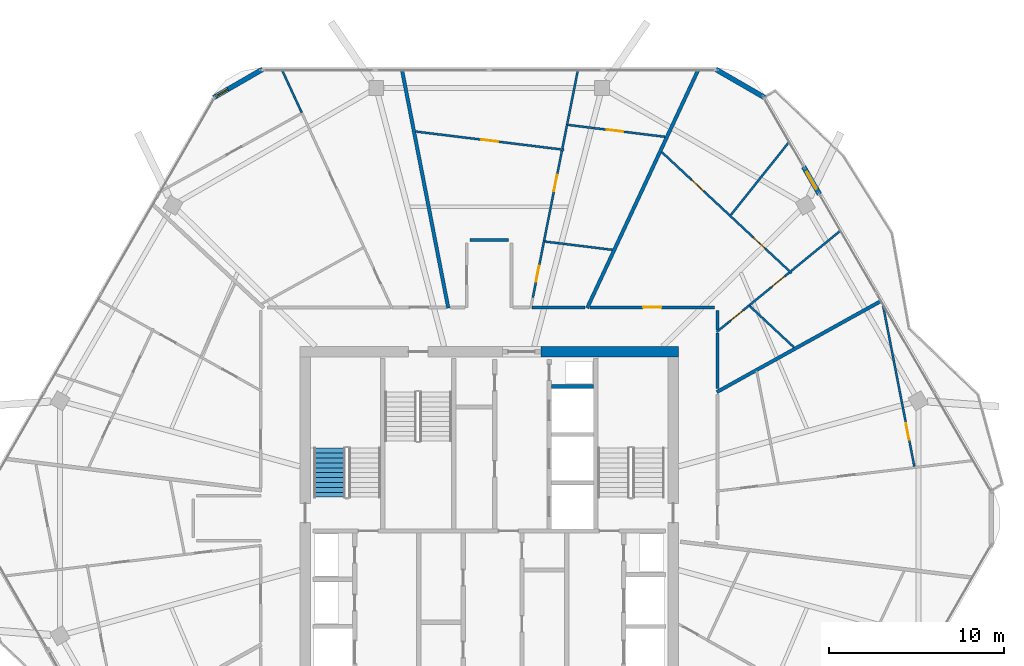
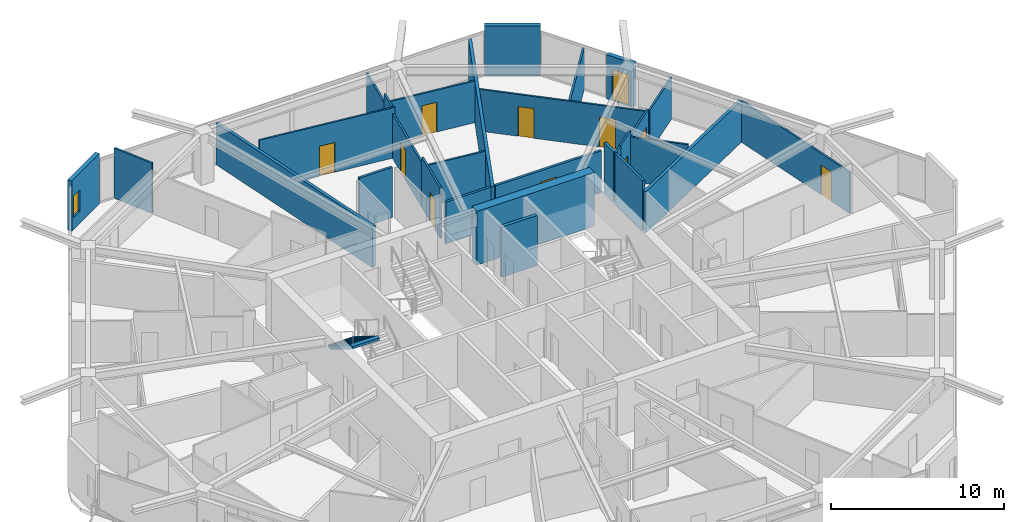
# One storey, part 22 of 26: 29 walls, 11 doors, 1 stair flight, 1 window, 12 openings, 1 element without a shape of its own.
"""IFC4 building model written with IfcOpenShell, lengths in metres."""

from ifc_helpers import new_model, si_unit, direction, frame, frame_2d, origin, place, context, subcontext, project, spatial, polyline, rectangle, outline, extrude, material, layer, layer_set, type_object, element, fill, aggregate, save


model = new_model("IFC4")

# Units and contexts
model_context = context("Model", 3, precision=1e-05, world=origin(), true_north=direction((0.0, 1.0)))
body_context = subcontext(model_context, "Body", "Model", "MODEL_VIEW")
ifc_project = project(units=[si_unit("LENGTHUNIT", "METRE"), si_unit("AREAUNIT", "SQUARE_METRE"), si_unit("VOLUMEUNIT", "CUBIC_METRE"), si_unit("PLANEANGLEUNIT", "RADIAN"), si_unit("MASSUNIT", "GRAM", prefix="KILO")], contexts=[model_context])

# Site, building, storey
site_placement = place(None, origin())
site = spatial("IfcSite", under=ifc_project, at=site_placement, CompositionType="ELEMENT")
building_placement = place(site_placement, origin())
building = spatial("IfcBuilding", under=site, at=building_placement, Name="Zuhravey Tower", CompositionType="ELEMENT")
storey_placement = place(building_placement, frame((0.0, 0.0, 273.0)))
storey = spatial("IfcBuildingStorey", under=building, at=storey_placement, Name="L69", CompositionType="ELEMENT", Elevation=273.0)

# Wall
ifc_material_1 = material(Name="Concrete C50/60", Category="concrete")
ifc_layer_1 = layer(ifc_material_1, 0.60009765625)
ifc_layer_set_1 = layer_set([ifc_layer_1], Name="Concrete C50/60")
wall_type_1 = type_object("IfcWallType", Name="Core Shear Wall 600", PredefinedType="SHEAR", material=ifc_layer_set_1)
wall_1_placement = place(storey_placement, frame((46.800048828125, 41.5, 0.0), z_axis=(0.0, 0.0, 1.0), x_axis=(-1.0, 0.0, 0.0)))
element("IfcWall", 1, at=wall_1_placement, inside=storey, type_object=wall_type_1, Name="L69 North-East Core Shear Wall CW60", PredefinedType="SHEAR", context=body_context, shape_type="SweptSolid", body=[
    extrude(rectangle(XDim=7.85009765625, YDim=0.60009765625, at=frame_2d((3.925048828125, 0.0))), origin(), (0.0, 0.0, 1.0), 3.800048828125),
])

# Wall, opening, door
ifc_material_2 = material(Name="Gypsum fire-rated stud partition")
ifc_layer_2 = layer(ifc_material_2, 0.159912109375)
ifc_layer_set_2 = layer_set([ifc_layer_2], Name="Gypsum fire-rated stud partition")
wall_type_2 = type_object("IfcWallType", Name="Corridor Fire Partition 160", PredefinedType="PARTITIONING", material=ifc_layer_set_2)
wall_2_placement = place(storey_placement, frame((48.85009765625, 44.030029296875, 0.0), z_axis=(0.0, 0.0, 1.0), x_axis=(-1.0, 0.0, 0.0)))
wall_2 = element("IfcWall", 2, at=wall_2_placement, inside=storey, type_object=wall_type_2, Name="L69 IW16 Partition 059", PredefinedType="PARTITIONING", context=body_context, shape_type="SweptSolid", body=[
    extrude(rectangle(XDim=7.08984375, YDim=0.159912109375, at=frame_2d((3.544921875, 0.0))), origin(), (0.0, 0.0, 1.0), 2.949951171875),
])
opening_1_placement = place(wall_2_placement, frame((3.02001953125, 0.0, 0.0)))
opening_1 = element("IfcOpeningElement", 3, at=opening_1_placement, cuts=wall_2, Name="Opening APD1", PredefinedType="OPENING", context=body_context, shape_type="SweptSolid", body=[
    extrude(rectangle(XDim=1.050048828125, YDim=2.14990234375, at=frame_2d((0.52490234375, 1.074951171875))), frame((0.0, 0.092041015625, 0.0), z_axis=(0.0, -1.0, 0.0), x_axis=(1.0, 0.0, 0.0)), (0.0, 0.0, 1.0), 0.183837890625),
])
ifc_material_3 = material(Name="Solid-core oak fire-rated leaf")
door_type_1 = type_object("IfcDoorType", Name="Apartment Entrance Fire Door 1050x2150", OperationType="NOTDEFINED", PredefinedType="DOOR", material=ifc_material_3)
door_1_placement = place(opening_1_placement, frame((1.050048828125, 0.0, 0.0), z_axis=(0.0, 0.0, 1.0), x_axis=(-1.0, 0.0, 0.0)))
door_1 = element("IfcDoor", 4, at=door_1_placement, inside=storey, type_object=door_type_1, Name="L69 Door 059.1", OperationType="SINGLE_SWING_RIGHT", OverallHeight=2.14990234375, OverallWidth=1.050048828125, PredefinedType="DOOR", context=body_context, shape_type="SweptSolid", body=[
    extrude(rectangle(XDim=1.050048828125, YDim=2.14990234375, at=frame_2d((0.52490234375, 1.074951171875))), frame((0.0, 0.02490234375, 0.0), z_axis=(0.0, -1.0, 0.0), x_axis=(1.0, 0.0, 0.0)), (0.0, 0.0, 1.0), 0.050048828125),
])
fill(opening_1, door_1)

# Walls
wall_3_placement = place(storey_placement, frame((49.030029296875, 42.752685546875, 0.0), z_axis=(0.0, 0.0, 1.0), x_axis=(0.0, 1.0, 0.0)))
element("IfcWall", 5, at=wall_3_placement, inside=storey, type_object=wall_type_2, Name="L69 IW16 Partition 127", PredefinedType="PARTITIONING", context=body_context, shape_type="SweptSolid", body=[
    extrude(rectangle(XDim=1.097412109375, YDim=0.159912109375, at=frame_2d((0.548828125, 0.0))), origin(), (0.0, 0.0, 1.0), 3.550048828125),
])
wall_4_placement = place(storey_placement, frame((49.030029296875, 39.39501953125, 0.0), z_axis=(0.0, 0.0, 1.0), x_axis=(0.0, 1.0, 0.0)))
element("IfcWall", 6, at=wall_4_placement, inside=storey, type_object=wall_type_2, Name="L69 IW16 Partition 128", PredefinedType="PARTITIONING", context=body_context, shape_type="SweptSolid", body=[
    extrude(rectangle(XDim=3.18212890625, YDim=0.159912109375, at=frame_2d((1.591064453125, 0.0))), origin(), (0.0, 0.0, 1.0), 3.550048828125),
])
wall_5_placement = place(storey_placement, frame((37.10009765625, 47.8798828125, 0.0), z_axis=(0.0, 0.0, 1.0), x_axis=(-1.0, 0.0, 0.0)))
element("IfcWall", 7, at=wall_5_placement, inside=storey, type_object=wall_type_2, Name="L69 IW16 Partition 130", PredefinedType="PARTITIONING", context=body_context, shape_type="SweptSolid", body=[
    extrude(rectangle(XDim=2.2001953125, YDim=0.159912109375, at=frame_2d((1.10009765625, 0.0))), origin(), (0.0, 0.0, 1.0), 3.550048828125),
])
wall_6_placement = place(storey_placement, frame((41.46044921875, 44.030029296875, 0.0), z_axis=(0.0, 0.0, 1.0), x_axis=(-1.0, 0.0, 0.0)))
element("IfcWall", 8, at=wall_6_placement, inside=storey, type_object=wall_type_2, Name="L69 IW16 Partition 133", PredefinedType="PARTITIONING", context=body_context, shape_type="SweptSolid", body=[
    extrude(rectangle(XDim=3.009033203125, YDim=0.159912109375, at=frame_2d((1.50439453125, 0.0))), origin(), (0.0, 0.0, 1.0), 2.949951171875),
])

# Wall, opening, window
ifc_material_4 = material(Name="Precast concrete C40/50", Category="concrete")
ifc_layer_3 = layer(ifc_material_4, 0.280029296875)
ifc_layer_set_3 = layer_set([ifc_layer_3], Name="Precast concrete C40/50")
wall_type_3 = type_object("IfcWallType", Name="Crown Architectural Wall 280", PredefinedType="SOLIDWALL", material=ifc_layer_set_3)
wall_7_placement = place(storey_placement, frame((20.285400390625, 56.003662109375, 0.0), z_axis=(0.0, 0.0, 1.0), x_axis=(0.866028773314, 0.499994163758, 0.0)))
wall_7 = element("IfcWall", 9, at=wall_7_placement, inside=storey, type_object=wall_type_3, Name="L69 Rounded Corner Closure Wall EW28-08", PredefinedType="SOLIDWALL", context=body_context, shape_type="SweptSolid", body=[
    extrude(rectangle(XDim=3.21484375, YDim=0.280029296875, at=frame_2d((1.607421875, 0.0))), origin(), (0.0, 0.0, 1.0), 3.550048828125),
])
opening_2_placement = place(wall_7_placement, frame((0.17578125, 0.0, 0.85009765625)))
opening_2 = element("IfcOpeningElement", 10, at=opening_2_placement, cuts=wall_7, Name="Opening WN5", PredefinedType="OPENING", context=body_context, shape_type="SweptSolid", body=[
    extrude(rectangle(XDim=0.75, YDim=1.5, at=frame_2d((0.375, 0.75))), frame((0.0, 0.152099609375, 0.0), z_axis=(0.0, -1.0, 0.0), x_axis=(1.0, 0.0, 0.0)), (0.0, 0.0, 1.0), 0.303955078125),
])
ifc_material_5 = material(Name="Thermally broken aluminium and triple low-E glass", Category="aluminium")
window_type = type_object("IfcWindowType", Name="Residential Corner Casement Window 750x1500", PartitioningType="SINGLE_PANEL", PredefinedType="WINDOW", material=ifc_material_5)
window_placement = place(opening_2_placement, origin())
window = element("IfcWindow", 11, at=window_placement, inside=storey, type_object=window_type, Name="L69 Corner Casement Window WN5-08.1", OverallHeight=1.5, OverallWidth=0.75, PartitioningType="SINGLE_PANEL", PredefinedType="WINDOW", context=body_context, shape_type="SweptSolid", body=[
    extrude(rectangle(XDim=0.75, YDim=1.5, at=frame_2d((0.375, 0.75))), frame((0.0, 0.030029296875, 0.0), z_axis=(0.0, -1.0, 0.0), x_axis=(1.0, 0.0, 0.0)), (0.0, 0.0, 1.0), 0.06005859375),
])
fill(opening_2, window)

# Wall
wall_8_placement = place(storey_placement, frame((48.930419921875, 57.611083984375, 0.0), z_axis=(0.0, 0.0, 1.0), x_axis=(0.866028773314, -0.499994163758, 0.0)))
element("IfcWall", 12, at=wall_8_placement, inside=storey, type_object=wall_type_3, Name="L69 Rounded Corner Closure Wall EW28-10", PredefinedType="SOLIDWALL", context=body_context, shape_type="SweptSolid", body=[
    extrude(rectangle(XDim=3.21484375, YDim=0.280029296875, at=frame_2d((1.607421875, 0.0))), origin(), (0.0, 0.0, 1.0), 3.550048828125),
])

# Wall, opening, door
wall_9_placement = place(storey_placement, frame((53.94580078125, 52.04443359375, 0.0), z_axis=(0.0, 0.0, 1.0), x_axis=(0.499982180423, -0.866035691677, 0.0)))
wall_9 = element("IfcWall", 13, at=wall_9_placement, inside=storey, type_object=wall_type_3, Name="L69 Face 1 Facade Pier EW28-1", PredefinedType="SOLIDWALL", context=body_context, shape_type="SweptSolid", body=[
    extrude(rectangle(XDim=1.7900390625, YDim=0.280029296875, at=frame_2d((0.89501953125, 0.0))), origin(), (0.0, 0.0, 1.0), 3.1220703125),
])
opening_3_placement = place(wall_9_placement, frame((0.344970703125, 0.0, 0.0)))
opening_3 = element("IfcOpeningElement", 14, at=opening_3_placement, cuts=wall_9, Name="Opening BLD1", PredefinedType="OPENING", context=body_context, shape_type="SweptSolid", body=[
    extrude(rectangle(XDim=1.10009765625, YDim=2.199951171875, at=frame_2d((0.550048828125, 1.10009765625))), frame((0.0, 0.152099609375, 0.0), z_axis=(0.0, -1.0, 0.0), x_axis=(1.0, 0.0, 0.0)), (0.0, 0.0, 1.0), 0.303955078125),
])
ifc_material_6 = material(Name="Thermally broken aluminium and low-E glass", Category="aluminium")
door_type_2 = type_object("IfcDoorType", Name="Balcony & Sky-Tray Glazed Door 1100x2200", OperationType="NOTDEFINED", PredefinedType="DOOR", material=ifc_material_6)
door_2_placement = place(opening_3_placement, frame((1.10009765625, 0.0, 0.0), z_axis=(0.0, 0.0, 1.0), x_axis=(-1.0, 0.0, 0.0)))
door_2 = element("IfcDoor", 15, at=door_2_placement, inside=storey, type_object=door_type_2, Name="L69 Face 1 Wave Balcony Door", OperationType="SINGLE_SWING_RIGHT", OverallHeight=2.199951171875, OverallWidth=1.10009765625, PredefinedType="DOOR", context=body_context, shape_type="SweptSolid", body=[
    extrude(rectangle(XDim=1.10009765625, YDim=2.199951171875, at=frame_2d((0.550048828125, 1.10009765625))), frame((0.0, 0.02490234375, 0.0), z_axis=(0.0, -1.0, 0.0), x_axis=(1.0, 0.0, 0.0)), (0.0, 0.0, 1.0), 0.050048828125),
])
fill(opening_3, door_2)

# Walls
ifc_material_7 = material(Name="Gypsum double-stud party assembly")
ifc_layer_4 = layer(ifc_material_7, 0.199951171875)
ifc_layer_set_4 = layer_set([ifc_layer_4], Name="Gypsum double-stud party assembly")
wall_type_4 = type_object("IfcWallType", Name="Inter-Tenancy Party Wall 200", PredefinedType="PARTITIONING", material=ifc_layer_set_4)
wall_10_placement = place(storey_placement, frame((48.989990234375, 39.200439453125, 0.0), z_axis=(0.0, 0.0, 1.0), x_axis=(0.874612572959, 0.484822490426, 0.0)))
element("IfcWall", 16, at=wall_10_placement, inside=storey, type_object=wall_type_4, Name="L69 IW20 Partition 101", PredefinedType="PARTITIONING", context=body_context, shape_type="SweptSolid", body=[
    extrude(rectangle(XDim=10.71533203125, YDim=0.199951171875, at=frame_2d((5.357666015625, 0.0))), origin(), (0.0, 0.0, 1.0), 2.929931640625),
])
wall_11_placement = place(storey_placement, frame((41.591064453125, 43.989990234375, 0.0), z_axis=(0.0, 0.0, 1.0), x_axis=(0.422607909104, 0.906312614479, 0.0)))
element("IfcWall", 17, at=wall_11_placement, inside=storey, type_object=wall_type_4, Name="L69 IW20 Partition 105", PredefinedType="PARTITIONING", context=body_context, shape_type="SweptSolid", body=[
    extrude(rectangle(XDim=14.976806640625, YDim=0.199951171875, at=frame_2d((7.48828125, 0.0))), origin(), (0.0, 0.0, 1.0), 2.929931640625),
])
wall_12_placement = place(storey_placement, frame((33.66943359375, 43.989990234375, 0.0), z_axis=(0.0, 0.0, 1.0), x_axis=(-0.190806334077, 0.981627700748, 0.0)))
element("IfcWall", 18, at=wall_12_placement, inside=storey, type_object=wall_type_4, Name="L69 IW20 Partition 109", PredefinedType="PARTITIONING", context=body_context, shape_type="SweptSolid", body=[
    extrude(rectangle(XDim=13.827880859375, YDim=0.199951171875, at=frame_2d((6.9140625, 0.0))), origin(), (0.0, 0.0, 1.0), 2.929931640625),
])
ifc_material_8 = material(Name="Gypsum acoustic stud assembly")
ifc_layer_5 = layer(ifc_material_8, 0.219970703125)
ifc_layer_set_5 = layer_set([ifc_layer_5], Name="Gypsum acoustic stud assembly")
wall_type_5 = type_object("IfcWallType", Name="School Acoustic Compartment Wall 220", PredefinedType="PARTITIONING", material=ifc_layer_set_5)
wall_13_placement = place(storey_placement, frame((39.55810546875, 39.52490234375, 0.0), z_axis=(0.0, 0.0, 1.0), x_axis=(1.0, 0.0, 0.0)))
element("IfcWall", 19, at=wall_13_placement, inside=storey, type_object=wall_type_5, Name="L69 IW22 Partition 073", PredefinedType="PARTITIONING", context=body_context, shape_type="SweptSolid", body=[
    extrude(rectangle(XDim=2.3837890625, YDim=0.219970703125, at=frame_2d((1.19189453125, 0.0))), origin(), (0.0, 0.0, 1.0), 3.550048828125),
])

# Wall, opening, door
ifc_material_9 = material(Name="Gypsum metal-stud partition")
ifc_layer_6 = layer(ifc_material_9, 0.1201171875)
ifc_layer_set_6 = layer_set([ifc_layer_6], Name="Gypsum metal-stud partition")
wall_type_6 = type_object("IfcWallType", Name="Unit Internal Partition 120", PredefinedType="PARTITIONING", material=ifc_layer_set_6)
wall_14_placement = place(storey_placement, frame((60.257080078125, 34.9609375, 0.0), z_axis=(0.0, 0.0, 1.0), x_axis=(-0.190833223762, 0.981622473616, 0.0)))
wall_14 = element("IfcWall", 20, at=wall_14_placement, inside=storey, type_object=wall_type_6, Name="L69 IW12 Partition 053", PredefinedType="PARTITIONING", context=body_context, shape_type="SweptSolid", body=[
    extrude(rectangle(XDim=9.505615234375, YDim=0.1201171875, at=frame_2d((4.7529296875, 0.0))), origin(), (0.0, 0.0, 1.0), 2.929931640625),
])
opening_4_placement = place(wall_14_placement, frame((1.553466796875, 0.0, 0.0)))
opening_4 = element("IfcOpeningElement", 21, at=opening_4_placement, cuts=wall_14, Name="Opening IND1", PredefinedType="OPENING", context=body_context, shape_type="SweptSolid", body=[
    extrude(rectangle(XDim=0.949951171875, YDim=2.10009765625, at=frame_2d((0.47509765625, 1.050048828125))), frame((0.0, 0.072021484375, 0.0), z_axis=(0.0, -1.0, 0.0), x_axis=(1.0, 0.0, 0.0)), (0.0, 0.0, 1.0), 0.14404296875),
])
ifc_material_10 = material(Name="Painted engineered timber leaf", Category="wood")
door_type_3 = type_object("IfcDoorType", Name="Internal Room & Bedroom Door 950x2100", OperationType="NOTDEFINED", PredefinedType="DOOR", material=ifc_material_10)
door_3_placement = place(opening_4_placement, frame((0.949951171875, 0.0, 0.0), z_axis=(0.0, 0.0, 1.0), x_axis=(-1.0, 0.0, 0.0)))
door_3 = element("IfcDoor", 22, at=door_3_placement, inside=storey, type_object=door_type_3, Name="Apartment L69-07 Bedroom 1 Door", OperationType="SINGLE_SWING_RIGHT", OverallHeight=2.10009765625, OverallWidth=0.949951171875, PredefinedType="DOOR", context=body_context, shape_type="SweptSolid", body=[
    extrude(rectangle(XDim=0.949951171875, YDim=2.10009765625, at=frame_2d((0.47509765625, 1.050048828125))), frame((0.0, 0.02490234375, 0.0), z_axis=(0.0, -1.0, 0.0), x_axis=(1.0, 0.0, 0.0)), (0.0, 0.0, 1.0), 0.050048828125),
])
fill(opening_4, door_3)

# Wall, openings, doors
wall_15_placement = place(storey_placement, frame((53.250244140625, 45.989990234375, 0.0), z_axis=(0.0, 0.0, 1.0), x_axis=(-0.731343343845, 0.682009467246, 0.0)))
wall_15 = element("IfcWall", 23, at=wall_15_placement, inside=storey, type_object=wall_type_6, Name="L69 IW12 Partition 055", PredefinedType="PARTITIONING", context=body_context, shape_type="SweptSolid", body=[
    extrude(rectangle(XDim=10.115234375, YDim=0.1201171875, at=frame_2d((5.0576171875, 0.0))), origin(), (0.0, 0.0, 1.0), 2.949951171875),
])
opening_5_placement = place(wall_15_placement, frame((2.03662109375, 0.0, 0.0)))
opening_5 = element("IfcOpeningElement", 24, at=opening_5_placement, cuts=wall_15, Name="Opening IND1", PredefinedType="OPENING", context=body_context, shape_type="SweptSolid", body=[
    extrude(rectangle(XDim=0.949951171875, YDim=2.10009765625, at=frame_2d((0.47509765625, 1.050048828125))), frame((0.0, 0.072021484375, 0.0), z_axis=(0.0, -1.0, 0.0), x_axis=(1.0, 0.0, 0.0)), (0.0, 0.0, 1.0), 0.14404296875),
])
opening_6_placement = place(wall_15_placement, frame((6.85400390625, 0.0, 0.0)))
opening_6 = element("IfcOpeningElement", 25, at=opening_6_placement, cuts=wall_15, Name="Opening IND1", PredefinedType="OPENING", context=body_context, shape_type="SweptSolid", body=[
    extrude(rectangle(XDim=0.949951171875, YDim=2.10009765625, at=frame_2d((0.47509765625, 1.050048828125))), frame((0.0, 0.072021484375, 0.0), z_axis=(0.0, -1.0, 0.0), x_axis=(1.0, 0.0, 0.0)), (0.0, 0.0, 1.0), 0.14404296875),
])
door_4_placement = place(opening_5_placement, frame((0.949951171875, 0.0, 0.0), z_axis=(0.0, 0.0, 1.0), x_axis=(-1.0, 0.0, 0.0)))
door_4 = element("IfcDoor", 26, at=door_4_placement, inside=storey, type_object=door_type_3, Name="Apartment L69-08 Family Study Door", OperationType="SINGLE_SWING_RIGHT", OverallHeight=2.10009765625, OverallWidth=0.949951171875, PredefinedType="DOOR", context=body_context, shape_type="SweptSolid", body=[
    extrude(rectangle(XDim=0.949951171875, YDim=2.10009765625, at=frame_2d((0.47509765625, 1.050048828125))), frame((0.0, 0.02490234375, 0.0), z_axis=(0.0, -1.0, 0.0), x_axis=(1.0, 0.0, 0.0)), (0.0, 0.0, 1.0), 0.050048828125),
])
fill(opening_5, door_4)
door_5_placement = place(opening_6_placement, frame((0.949951171875, 0.0, 0.0), z_axis=(0.0, 0.0, 1.0), x_axis=(-1.0, 0.0, 0.0)))
door_5 = element("IfcDoor", 27, at=door_5_placement, inside=storey, type_object=door_type_3, Name="Apartment L69-08 Dining Room Door", OperationType="SINGLE_SWING_LEFT", OverallHeight=2.10009765625, OverallWidth=0.949951171875, PredefinedType="DOOR", context=body_context, shape_type="SweptSolid", body=[
    extrude(rectangle(XDim=0.949951171875, YDim=2.10009765625, at=frame_2d((0.47509765625, 1.050048828125))), frame((0.0, 0.02490234375, 0.0), z_axis=(0.0, -1.0, 0.0), x_axis=(1.0, 0.0, 0.0)), (0.0, 0.0, 1.0), 0.050048828125),
])
fill(opening_6, door_5)

# Wall, opening, door
wall_16_placement = place(storey_placement, frame((49.60009765625, 43.131591796875, 0.0), z_axis=(0.0, 0.0, 1.0), x_axis=(0.773876497014, 0.633336535635, 0.0)))
wall_16 = element("IfcWall", 28, at=wall_16_placement, inside=storey, type_object=wall_type_6, Name="L69 IW12 Partition 056", PredefinedType="PARTITIONING", context=body_context, shape_type="SweptSolid", body=[
    extrude(rectangle(XDim=1.615478515625, YDim=0.1201171875, at=frame_2d((0.8076171875, 0.0))), origin(), (0.0, 0.0, 1.0), 3.550048828125),
])
opening_7_placement = place(wall_16_placement, frame((0.228515625, 0.0, 0.0)))
opening_7 = element("IfcOpeningElement", 29, at=opening_7_placement, cuts=wall_16, Name="Opening WCD1", PredefinedType="OPENING", context=body_context, shape_type="SweptSolid", body=[
    extrude(rectangle(XDim=0.89990234375, YDim=2.10009765625, at=frame_2d((0.449951171875, 1.050048828125))), frame((0.0, 0.072021484375, 0.0), z_axis=(0.0, -1.0, 0.0), x_axis=(1.0, 0.0, 0.0)), (0.0, 0.0, 1.0), 0.14404296875),
])
ifc_material_11 = material(Name="Moisture-resistant timber leaf", Category="wood")
door_type_4 = type_object("IfcDoorType", Name="Bathroom & WC Internal Door 900x2100", OperationType="NOTDEFINED", PredefinedType="DOOR", material=ifc_material_11)
door_6_placement = place(opening_7_placement, frame((0.89990234375, 0.0, 0.0), z_axis=(0.0, 0.0, 1.0), x_axis=(-1.0, 0.0, 0.0)))
door_6 = element("IfcDoor", 30, at=door_6_placement, inside=storey, type_object=door_type_4, Name="Apartment L69-08 Bathroom Door", OperationType="SINGLE_SWING_RIGHT", OverallHeight=2.10009765625, OverallWidth=0.89990234375, PredefinedType="DOOR", context=body_context, shape_type="SweptSolid", body=[
    extrude(rectangle(XDim=0.89990234375, YDim=2.10009765625, at=frame_2d((0.449951171875, 1.050048828125))), frame((0.0, 0.02490234375, 0.0), z_axis=(0.0, -1.0, 0.0), x_axis=(1.0, 0.0, 0.0)), (0.0, 0.0, 1.0), 0.050048828125),
])
fill(opening_7, door_6)

wall_17_placement = place(storey_placement, frame((50.850341796875, 44.15478515625, 0.0), z_axis=(0.0, 0.0, 1.0), x_axis=(0.773805447129, 0.633423341844, 0.0)))
wall_17 = element("IfcWall", 31, at=wall_17_placement, inside=storey, type_object=wall_type_6, Name="L69 IW12 Partition 057", PredefinedType="PARTITIONING", context=body_context, shape_type="SweptSolid", body=[
    extrude(rectangle(XDim=2.937255859375, YDim=0.1201171875, at=frame_2d((1.46875, 0.0))), origin(), (0.0, 0.0, 1.0), 3.14990234375),
])
opening_8_placement = place(wall_17_placement, frame((1.640625, 0.0, 0.0)))
opening_8 = element("IfcOpeningElement", 32, at=opening_8_placement, cuts=wall_17, Name="Opening IND1", PredefinedType="OPENING", context=body_context, shape_type="SweptSolid", body=[
    extrude(rectangle(XDim=0.949951171875, YDim=2.10009765625, at=frame_2d((0.47509765625, 1.050048828125))), frame((0.0, 0.072021484375, 0.0), z_axis=(0.0, -1.0, 0.0), x_axis=(1.0, 0.0, 0.0)), (0.0, 0.0, 1.0), 0.14404296875),
])
door_7_placement = place(opening_8_placement, frame((0.949951171875, 0.0, 0.0), z_axis=(0.0, 0.0, 1.0), x_axis=(-1.0, 0.0, 0.0)))
door_7 = element("IfcDoor", 33, at=door_7_placement, inside=storey, type_object=door_type_3, Name="Apartment L69-08 Bedroom 1 Door", OperationType="SINGLE_SWING_LEFT", OverallHeight=2.10009765625, OverallWidth=0.949951171875, PredefinedType="DOOR", context=body_context, shape_type="SweptSolid", body=[
    extrude(rectangle(XDim=0.949951171875, YDim=2.10009765625, at=frame_2d((0.47509765625, 1.050048828125))), frame((0.0, 0.02490234375, 0.0), z_axis=(0.0, -1.0, 0.0), x_axis=(1.0, 0.0, 0.0)), (0.0, 0.0, 1.0), 0.050048828125),
])
fill(opening_8, door_7)

# Wall
wall_18_placement = place(storey_placement, frame((53.2294921875, 46.102294921875, 0.0), z_axis=(0.0, 0.0, 1.0), x_axis=(0.773858778819, 0.633358184951, 0.0)))
element("IfcWall", 34, at=wall_18_placement, inside=storey, type_object=wall_type_6, Name="L69 IW12 Partition 058", PredefinedType="PARTITIONING", context=body_context, shape_type="SweptSolid", body=[
    extrude(rectangle(XDim=3.643798828125, YDim=0.1201171875, at=frame_2d((1.82177734375, 0.0))), origin(), (0.0, 0.0, 1.0), 2.929931640625),
])

# Wall, opening, door
wall_19_placement = place(storey_placement, frame((40.264892578125, 53.02392578125, 0.0), z_axis=(0.0, 0.0, 1.0), x_axis=(-0.992544489296, 0.121882881359, 0.0)))
wall_19 = element("IfcWall", 35, at=wall_19_placement, inside=storey, type_object=wall_type_6, Name="L69 IW12 Partition 060", PredefinedType="PARTITIONING", context=body_context, shape_type="SweptSolid", body=[
    extrude(rectangle(XDim=8.51904296875, YDim=0.1201171875, at=frame_2d((4.259521484375, 0.0))), origin(), (0.0, 0.0, 1.0), 3.550048828125),
])
opening_9_placement = place(wall_19_placement, frame((3.784423828125, 0.0, 0.0)))
opening_9 = element("IfcOpeningElement", 36, at=opening_9_placement, cuts=wall_19, Name="Opening IND1", PredefinedType="OPENING", context=body_context, shape_type="SweptSolid", body=[
    extrude(rectangle(XDim=0.949951171875, YDim=2.10009765625, at=frame_2d((0.47509765625, 1.050048828125))), frame((0.0, 0.072021484375, 0.0), z_axis=(0.0, -1.0, 0.0), x_axis=(1.0, 0.0, 0.0)), (0.0, 0.0, 1.0), 0.14404296875),
])
door_8_placement = place(opening_9_placement, frame((0.949951171875, 0.0, 0.0), z_axis=(0.0, 0.0, 1.0), x_axis=(-1.0, 0.0, 0.0)))
door_8 = element("IfcDoor", 37, at=door_8_placement, inside=storey, type_object=door_type_3, Name="Apartment L69-09 Family Study Door", OperationType="SINGLE_SWING_LEFT", OverallHeight=2.10009765625, OverallWidth=0.949951171875, PredefinedType="DOOR", context=body_context, shape_type="SweptSolid", body=[
    extrude(rectangle(XDim=0.949951171875, YDim=2.10009765625, at=frame_2d((0.47509765625, 1.050048828125))), frame((0.0, 0.02490234375, 0.0), z_axis=(0.0, -1.0, 0.0), x_axis=(1.0, 0.0, 0.0)), (0.0, 0.0, 1.0), 0.050048828125),
])
fill(opening_9, door_8)

wall_20_placement = place(storey_placement, frame((38.494873046875, 44.60009765625, 0.0), z_axis=(0.0, 0.0, 1.0), x_axis=(0.194240919575, 0.980953854757, 0.0)))
wall_20 = element("IfcWall", 38, at=wall_20_placement, inside=storey, type_object=wall_type_6, Name="L69 IW12 Partition 061", PredefinedType="PARTITIONING", context=body_context, shape_type="SweptSolid", body=[
    extrude(rectangle(XDim=3.280517578125, YDim=0.1201171875, at=frame_2d((1.64013671875, 0.0))), origin(), (0.0, 0.0, 1.0), 3.550048828125),
])
opening_10_placement = place(wall_20_placement, frame((0.927734375, 0.0, 0.0)))
opening_10 = element("IfcOpeningElement", 39, at=opening_10_placement, cuts=wall_20, Name="Opening WCD1", PredefinedType="OPENING", context=body_context, shape_type="SweptSolid", body=[
    extrude(rectangle(XDim=0.89990234375, YDim=2.10009765625, at=frame_2d((0.449951171875, 1.050048828125))), frame((0.0, 0.072021484375, 0.0), z_axis=(0.0, -1.0, 0.0), x_axis=(1.0, 0.0, 0.0)), (0.0, 0.0, 1.0), 0.14404296875),
])
door_9_placement = place(opening_10_placement, frame((0.89990234375, 0.0, 0.0), z_axis=(0.0, 0.0, 1.0), x_axis=(-1.0, 0.0, 0.0)))
door_9 = element("IfcDoor", 40, at=door_9_placement, inside=storey, type_object=door_type_4, Name="Apartment L69-09 Bathroom Door", OperationType="SINGLE_SWING_RIGHT", OverallHeight=2.10009765625, OverallWidth=0.89990234375, PredefinedType="DOOR", context=body_context, shape_type="SweptSolid", body=[
    extrude(rectangle(XDim=0.89990234375, YDim=2.10009765625, at=frame_2d((0.449951171875, 1.050048828125))), frame((0.0, 0.02490234375, 0.0), z_axis=(0.0, -1.0, 0.0), x_axis=(1.0, 0.0, 0.0)), (0.0, 0.0, 1.0), 0.050048828125),
])
fill(opening_10, door_9)

wall_21_placement = place(storey_placement, frame((39.132080078125, 47.818115234375, 0.0), z_axis=(0.0, 0.0, 1.0), x_axis=(0.194247124133, 0.980952626158, 0.0)))
wall_21 = element("IfcWall", 41, at=wall_21_placement, inside=storey, type_object=wall_type_6, Name="L69 IW12 Partition 062", PredefinedType="PARTITIONING", context=body_context, shape_type="SweptSolid", body=[
    extrude(rectangle(XDim=5.251220703125, YDim=0.1201171875, at=frame_2d((2.62548828125, 0.0))), origin(), (0.0, 0.0, 1.0), 3.14990234375),
])
opening_11_placement = place(wall_21_placement, frame((2.8916015625, 0.0, 0.0)))
opening_11 = element("IfcOpeningElement", 42, at=opening_11_placement, cuts=wall_21, Name="Opening IND1", PredefinedType="OPENING", context=body_context, shape_type="SweptSolid", body=[
    extrude(rectangle(XDim=0.949951171875, YDim=2.10009765625, at=frame_2d((0.47509765625, 1.050048828125))), frame((0.0, 0.072021484375, 0.0), z_axis=(0.0, -1.0, 0.0), x_axis=(1.0, 0.0, 0.0)), (0.0, 0.0, 1.0), 0.14404296875),
])
door_10_placement = place(opening_11_placement, frame((0.949951171875, 0.0, 0.0), z_axis=(0.0, 0.0, 1.0), x_axis=(-1.0, 0.0, 0.0)))
door_10 = element("IfcDoor", 43, at=door_10_placement, inside=storey, type_object=door_type_3, Name="Apartment L69-09 Home Office Door", OperationType="SINGLE_SWING_LEFT", OverallHeight=2.10009765625, OverallWidth=0.949951171875, PredefinedType="DOOR", context=body_context, shape_type="SweptSolid", body=[
    extrude(rectangle(XDim=0.949951171875, YDim=2.10009765625, at=frame_2d((0.47509765625, 1.050048828125))), frame((0.0, 0.02490234375, 0.0), z_axis=(0.0, -1.0, 0.0), x_axis=(1.0, 0.0, 0.0)), (0.0, 0.0, 1.0), 0.050048828125),
])
fill(opening_11, door_10)

# Wall
wall_22_placement = place(storey_placement, frame((40.178466796875, 53.10302734375, 0.0), z_axis=(0.0, 0.0, 1.0), x_axis=(0.194299662618, 0.980942221085, 0.0)))
element("IfcWall", 44, at=wall_22_placement, inside=storey, type_object=wall_type_6, Name="L69 IW12 Partition 063", PredefinedType="PARTITIONING", context=body_context, shape_type="SweptSolid", body=[
    extrude(rectangle(XDim=1.39599609375, YDim=0.1201171875, at=frame_2d((0.697998046875, 0.0))), origin(), (0.0, 0.0, 1.0), 3.550048828125),
])

# Wall, opening, door
wall_23_placement = place(storey_placement, frame((46.027587890625, 53.76220703125, 0.0), z_axis=(0.0, 0.0, 1.0), x_axis=(-0.992544574318, 0.121882188984, 0.0)))
wall_23 = element("IfcWall", 45, at=wall_23_placement, inside=storey, type_object=wall_type_6, Name="L69 IW12 Partition 064", PredefinedType="PARTITIONING", context=body_context, shape_type="SweptSolid", body=[
    extrude(rectangle(XDim=5.556640625, YDim=0.1201171875, at=frame_2d((2.7783203125, 0.0))), origin(), (0.0, 0.0, 1.0), 2.949951171875),
])
opening_12_placement = place(wall_23_placement, frame((2.387451171875, 0.0, 0.0)))
opening_12 = element("IfcOpeningElement", 46, at=opening_12_placement, cuts=wall_23, Name="Opening IND1", PredefinedType="OPENING", context=body_context, shape_type="SweptSolid", body=[
    extrude(rectangle(XDim=0.949951171875, YDim=2.10009765625, at=frame_2d((0.47509765625, 1.050048828125))), frame((0.0, 0.072021484375, 0.0), z_axis=(0.0, -1.0, 0.0), x_axis=(1.0, 0.0, 0.0)), (0.0, 0.0, 1.0), 0.14404296875),
])
door_11_placement = place(opening_12_placement, frame((0.949951171875, 0.0, 0.0), z_axis=(0.0, 0.0, 1.0), x_axis=(-1.0, 0.0, 0.0)))
door_11 = element("IfcDoor", 47, at=door_11_placement, inside=storey, type_object=door_type_3, Name="Apartment L69-09 Bedroom 1 Door", OperationType="SINGLE_SWING_RIGHT", OverallHeight=2.10009765625, OverallWidth=0.949951171875, PredefinedType="DOOR", context=body_context, shape_type="SweptSolid", body=[
    extrude(rectangle(XDim=0.949951171875, YDim=2.10009765625, at=frame_2d((0.47509765625, 1.050048828125))), frame((0.0, 0.02490234375, 0.0), z_axis=(0.0, -1.0, 0.0), x_axis=(1.0, 0.0, 0.0)), (0.0, 0.0, 1.0), 0.050048828125),
])
fill(opening_12, door_11)

# Walls
wall_24_placement = place(storey_placement, frame((49.795166015625, 49.304931640625, 0.0), z_axis=(0.0, 0.0, 1.0), x_axis=(0.623334583936, 0.781955239429, 0.0)))
element("IfcWall", 48, at=wall_24_placement, inside=storey, type_object=wall_type_6, Name="L69 IW12 Partition 102", PredefinedType="PARTITIONING", context=body_context, shape_type="SweptSolid", body=[
    extrude(rectangle(XDim=5.365478515625, YDim=0.1201171875, at=frame_2d((2.6826171875, 0.0))), origin(), (0.0, 0.0, 1.0), 2.929931640625),
])
wall_25_placement = place(storey_placement, frame((48.985107421875, 42.628173828125, 0.0), z_axis=(0.0, 0.0, 1.0), x_axis=(0.773806724765, 0.63342178105, 0.0)))
element("IfcWall", 49, at=wall_25_placement, inside=storey, type_object=wall_type_6, Name="L69 IW12 Partition 103", PredefinedType="PARTITIONING", context=body_context, shape_type="SweptSolid", body=[
    extrude(rectangle(XDim=0.794677734375, YDim=0.1201171875, at=frame_2d((0.3974609375, 0.0))), origin(), (0.0, 0.0, 1.0), 3.550048828125),
])
wall_26_placement = place(storey_placement, frame((53.3828125, 41.759033203125, 0.0), z_axis=(0.0, 0.0, 1.0), x_axis=(-0.731335264497, 0.68201813092, 0.0)))
element("IfcWall", 50, at=wall_26_placement, inside=storey, type_object=wall_type_6, Name="L69 IW12 Partition 104", PredefinedType="PARTITIONING", context=body_context, shape_type="SweptSolid", body=[
    extrude(rectangle(XDim=3.420654296875, YDim=0.1201171875, at=frame_2d((1.71044921875, 0.0))), origin(), (0.0, 0.0, 1.0), 3.14990234375),
])
wall_27_placement = place(storey_placement, frame((40.44970703125, 54.472412109375, 0.0), z_axis=(0.0, 0.0, 1.0), x_axis=(0.194226638518, 0.980956682474, 0.0)))
element("IfcWall", 51, at=wall_27_placement, inside=storey, type_object=wall_type_6, Name="L69 IW12 Partition 107", PredefinedType="PARTITIONING", context=body_context, shape_type="SweptSolid", body=[
    extrude(rectangle(XDim=3.15625, YDim=0.1201171875, at=frame_2d((1.578125, 0.0))), origin(), (0.0, 0.0, 1.0), 2.929931640625),
])
wall_28_placement = place(storey_placement, frame((43.0224609375, 47.315185546875, 0.0), z_axis=(0.0, 0.0, 1.0), x_axis=(-0.992546276814, 0.121868323949, 0.0)))
element("IfcWall", 52, at=wall_28_placement, inside=storey, type_object=wall_type_6, Name="L69 IW12 Partition 108", PredefinedType="PARTITIONING", context=body_context, shape_type="SweptSolid", body=[
    extrude(rectangle(XDim=3.8564453125, YDim=0.1201171875, at=frame_2d((1.92822265625, 0.0))), origin(), (0.0, 0.0, 1.0), 2.949951171875),
])
wall_29_placement = place(storey_placement, frame((25.30908203125, 55.137451171875, 0.0), z_axis=(0.0, 0.0, 1.0), x_axis=(-0.419509024285, 0.907751165542, 0.0)))
element("IfcWall", 53, at=wall_29_placement, inside=storey, type_object=wall_type_6, Name="L69 IW12 Partition 111", PredefinedType="PARTITIONING", context=body_context, shape_type="SweptSolid", body=[
    extrude(rectangle(XDim=2.67822265625, YDim=0.1201171875, at=frame_2d((1.339111328125, 0.0))), origin(), (0.0, 0.0, 1.0), 3.550048828125),
])

# Stair, stair flight
ifc_material_12 = material(Name="Concrete C40/50", Category="concrete")
stair_type = type_object("IfcStairType", Name="Housing Storey Stair Assembly 3800", PredefinedType="HALF_TURN_STAIR", material=ifc_material_12)
stair_placement = place(storey_placement, origin())
stair = element("IfcStair", 54, at=stair_placement, inside=storey, type_object=stair_type, Name="L69 Core Exit Stair ST1", PredefinedType="HALF_TURN_STAIR")
stair_flight_type = type_object("IfcStairFlightType", Name="Housing Storey Stair Flight 3800", PredefinedType="STRAIGHT", material=ifc_material_12)
stair_flight_placement = place(storey_placement, frame((26.89990234375, 36.0, 1.89990234375), z_axis=(0.0, 0.0, 1.0), x_axis=(0.0, -1.0, 0.0)))
stair_flight = element("IfcStairFlight", 55, at=stair_flight_placement, type_object=stair_flight_type, Name="ST1 flight 2", NumberOfRisers=11, NumberOfTreads=10, PredefinedType="STRAIGHT", RiserHeight=0.172727273, TreadLength=0.28, context=body_context, shape_type="SweptSolid", body=[
    extrude(outline(polyline([(0.0, 0.0), (0.0, 0.172607421875), (0.280029296875, 0.172607421875), (0.280029296875, 0.345458984375), (0.56005859375, 0.345458984375), (0.56005859375, 0.51806640625), (0.840087890625, 0.51806640625), (0.840087890625, 0.69091796875), (1.1201171875, 0.69091796875), (1.1201171875, 0.863525390625), (1.39990234375, 0.863525390625), (1.39990234375, 1.036376953125), (1.679931640625, 1.036376953125), (1.679931640625, 1.208984375), (1.9599609375, 1.208984375), (1.9599609375, 1.3818359375), (2.239990234375, 1.3818359375), (2.239990234375, 1.554443359375), (2.52001953125, 1.554443359375), (2.52001953125, 1.727294921875), (2.800048828125, 1.727294921875), (2.800048828125, 1.89990234375), (2.800048828125, 1.551025390625), (0.285400390625, 0.0), (0.0, 0.0)])), frame((0.0, 0.89990234375, 0.0), z_axis=(0.0, -1.0, 0.0), x_axis=(1.0, 0.0, 0.0)), (0.0, 0.0, 1.0), 1.800048828125),
])
aggregate(stair, [stair_flight])

save(model, "model.ifc")
